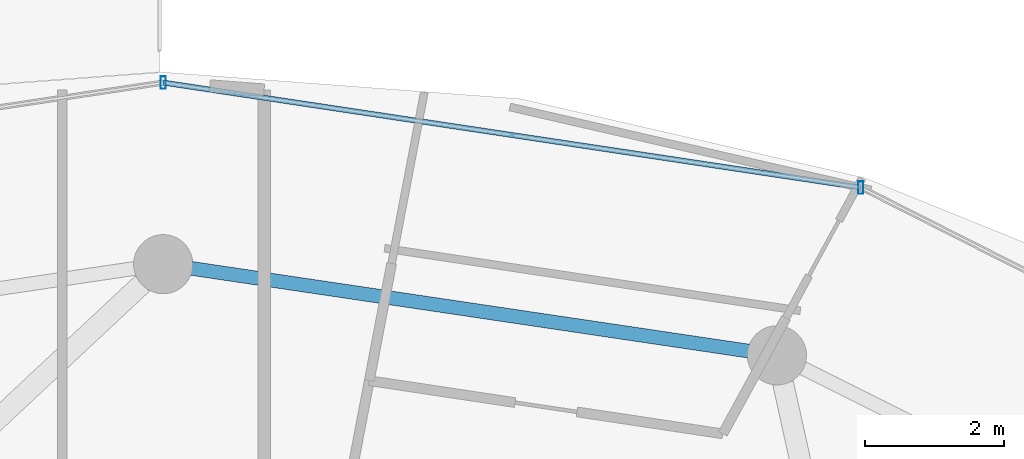
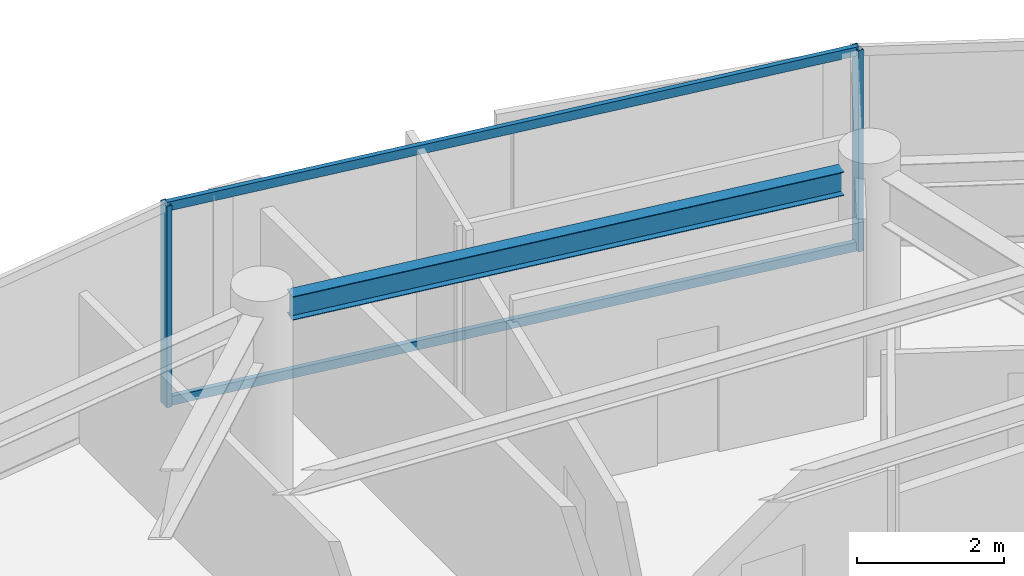
# One storey, part 18 of 29: 4 members, 1 beam, 1 element without a shape of its own.
"""IFC4 building model written with IfcOpenShell, lengths in metres."""

from ifc_helpers import new_model, si_unit, direction, frame, origin, origin_2d, place, context, subcontext, project, spatial, hollow_rectangle, i_section, extrude, material, material_profile, profile_set, type_object, element, aggregate, save


model = new_model("IFC4")

# Units and contexts
model_context = context("Model", 3, precision=1e-05, world=origin(), true_north=direction((0.0, 1.0)))
body_context = subcontext(model_context, "Body", "Model", "MODEL_VIEW")
ifc_project = project(units=[si_unit("LENGTHUNIT", "METRE"), si_unit("AREAUNIT", "SQUARE_METRE"), si_unit("VOLUMEUNIT", "CUBIC_METRE"), si_unit("PLANEANGLEUNIT", "RADIAN"), si_unit("MASSUNIT", "GRAM", prefix="KILO")], contexts=[model_context])

# Site, building, storey
site_placement = place(None, origin())
site = spatial("IfcSite", under=ifc_project, at=site_placement, CompositionType="ELEMENT")
building_placement = place(site_placement, origin())
building = spatial("IfcBuilding", under=site, at=building_placement, Name="Vorneva Point Tower", CompositionType="ELEMENT")
storey_placement = place(building_placement, frame((0.0, 0.0, 273.300048828125)))
storey = spatial("IfcBuildingStorey", under=building, at=storey_placement, Name="L74", CompositionType="ELEMENT", Elevation=273.300048828125)

# Beam
ifc_material_1 = material(Name="Steel S355", Category="steel")
ifc_material_profile_1 = material_profile(ifc_material_1, i_section(OverallWidth=0.198974609375, OverallDepth=0.39599609375, WebThickness=0.007080078125, FlangeThickness=0.010986328125, at=origin_2d()), Name="40B1")
ifc_profile_set_1 = profile_set([ifc_material_profile_1], Name="Steel S355")
beam_type = type_object("IfcBeamType", Name="BM-SPN-40B1", PredefinedType="SPANDREL", material=ifc_profile_set_1)
beam_placement = place(storey_placement, frame((46.415283203125, 41.950927734375, 3.092041015625), z_axis=(-0.989161657331, 0.146830567886, 0.0), x_axis=(-0.146830567886, -0.989161657331, 0.0)))
element("IfcBeam", 1, at=beam_placement, inside=storey, type_object=beam_type, Name="L74 Perimeter Spandrel Ring Beam 04", PredefinedType="SPANDREL", context=body_context, shape_type="SweptSolid", body=[
    extrude(i_section(OverallWidth=0.198974609375, OverallDepth=0.39599609375, WebThickness=0.007080078125, FlangeThickness=0.010986328125, at=origin_2d()), origin(), (0.0, 0.0, 1.0), 8.097412109375),
])

# Curtain wall, members
ifc_material_2 = material(Name="Pale anodised aluminium", Category="aluminium")
curtain_wall_type = type_object("IfcCurtainWallType", Name="CW-RES-SYS", PredefinedType="NOTDEFINED", material=ifc_material_2)
curtain_wall_placement = place(storey_placement, origin())
curtain_wall = element("IfcCurtainWall", 2, at=curtain_wall_placement, inside=storey, type_object=curtain_wall_type, Name="L74 Unitised Curtain Wall CW-L74-R02", PredefinedType="NOTDEFINED")
ifc_material_profile_2 = material_profile(ifc_material_2, hollow_rectangle(XDim=0.074951171875, YDim=0.179931640625, WallThickness=0.00390625, at=origin_2d()), Name="AL-MUL 180x75x4")
ifc_profile_set_2 = profile_set([ifc_material_profile_2], Name="Pale anodised aluminium")
member_type_1 = type_object("IfcMemberType", Name="CW-MUL-180", PredefinedType="MULLION", material=ifc_profile_set_2)
member_1_placement = place(storey_placement, frame((48.0263671875, 44.302001953125, -0.0400390625), z_axis=(0.0, 0.0, 1.0), x_axis=(1.0, 0.0, 0.0)))
member_1 = element("IfcMember", 3, at=member_1_placement, type_object=member_type_1, Name="CW-L74-R02 Mullion 02", PredefinedType="MULLION", context=body_context, shape_type="SweptSolid", body=[
    extrude(hollow_rectangle(XDim=0.074951171875, YDim=0.179931640625, WallThickness=0.00390625, at=origin_2d()), origin(), (0.0, 0.0, 1.0), 3.360107421875),
])
member_2_placement = place(storey_placement, frame((38.0, 45.81005859375, -0.0400390625), z_axis=(0.0, 0.0, 1.0), x_axis=(1.0, 0.0, 0.0)))
member_2 = element("IfcMember", 4, at=member_2_placement, type_object=member_type_1, Name="CW-L74-R02 Mullion 03", PredefinedType="MULLION", context=body_context, shape_type="SweptSolid", body=[
    extrude(hollow_rectangle(XDim=0.074951171875, YDim=0.179931640625, WallThickness=0.00390625, at=origin_2d()), origin(), (0.0, 0.0, 1.0), 3.360107421875),
])
ifc_material_profile_3 = material_profile(ifc_material_2, hollow_rectangle(XDim=0.074951171875, YDim=0.14990234375, WallThickness=0.00390625, at=origin_2d()), Name="AL-TRN 150x75x4")
ifc_profile_set_3 = profile_set([ifc_material_profile_3], Name="Pale anodised aluminium")
member_type_2 = type_object("IfcMemberType", Name="CW-TRN-150", PredefinedType="USERDEFINED", material=ifc_profile_set_3)
member_3_placement = place(storey_placement, frame((48.0263671875, 44.302001953125, 0.02001953125), z_axis=(-0.988876929856, 0.148736066907, 0.0), x_axis=(-0.148736066907, -0.988876929856, 0.0)))
member_3 = element("IfcMember", 5, at=member_3_placement, type_object=member_type_2, Name="CW-L74-R02 Transom 02.1", ObjectType="TRANSOM", PredefinedType="USERDEFINED", context=body_context, shape_type="SweptSolid", body=[
    extrude(hollow_rectangle(XDim=0.074951171875, YDim=0.14990234375, WallThickness=0.00390625, at=origin_2d()), origin(), (0.0, 0.0, 1.0), 10.13916015625),
])
member_4_placement = place(storey_placement, frame((48.0263671875, 44.302001953125, 3.27001953125), z_axis=(-0.988876929856, 0.148736066907, 0.0), x_axis=(-0.148736066907, -0.988876929856, 0.0)))
member_4 = element("IfcMember", 6, at=member_4_placement, type_object=member_type_2, Name="CW-L74-R02 Transom 02.2", ObjectType="TRANSOM", PredefinedType="USERDEFINED", context=body_context, shape_type="SweptSolid", body=[
    extrude(hollow_rectangle(XDim=0.074951171875, YDim=0.14990234375, WallThickness=0.00390625, at=origin_2d()), origin(), (0.0, 0.0, 1.0), 10.13916015625),
])
aggregate(curtain_wall, [member_1, member_2, member_3, member_4])

save(model, "model.ifc")
